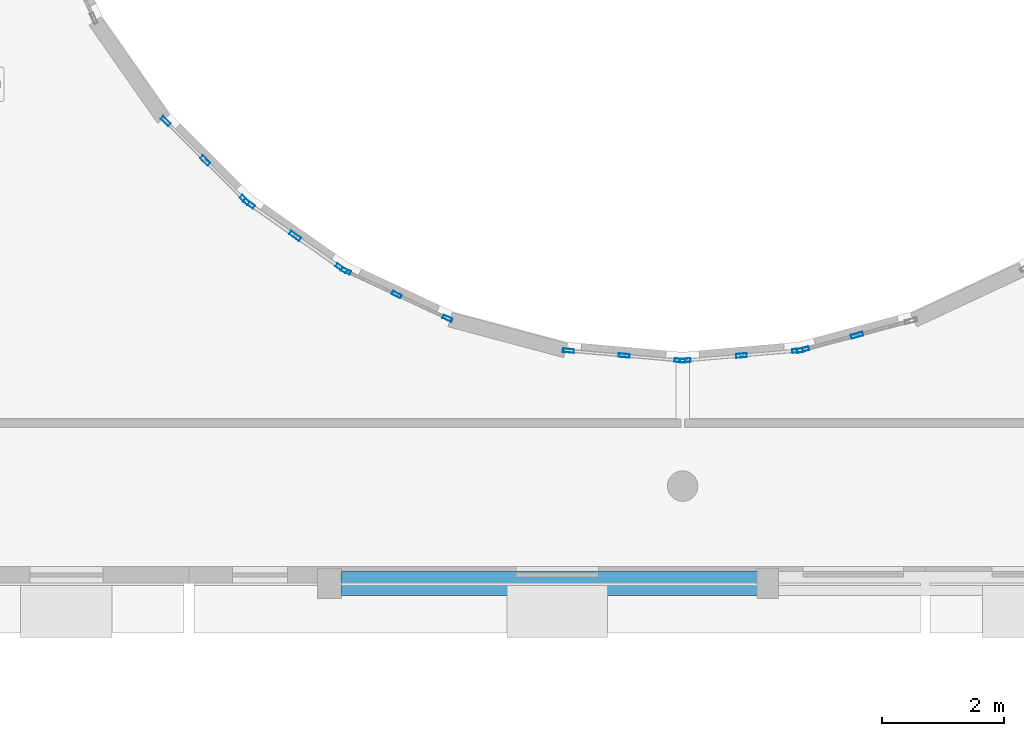
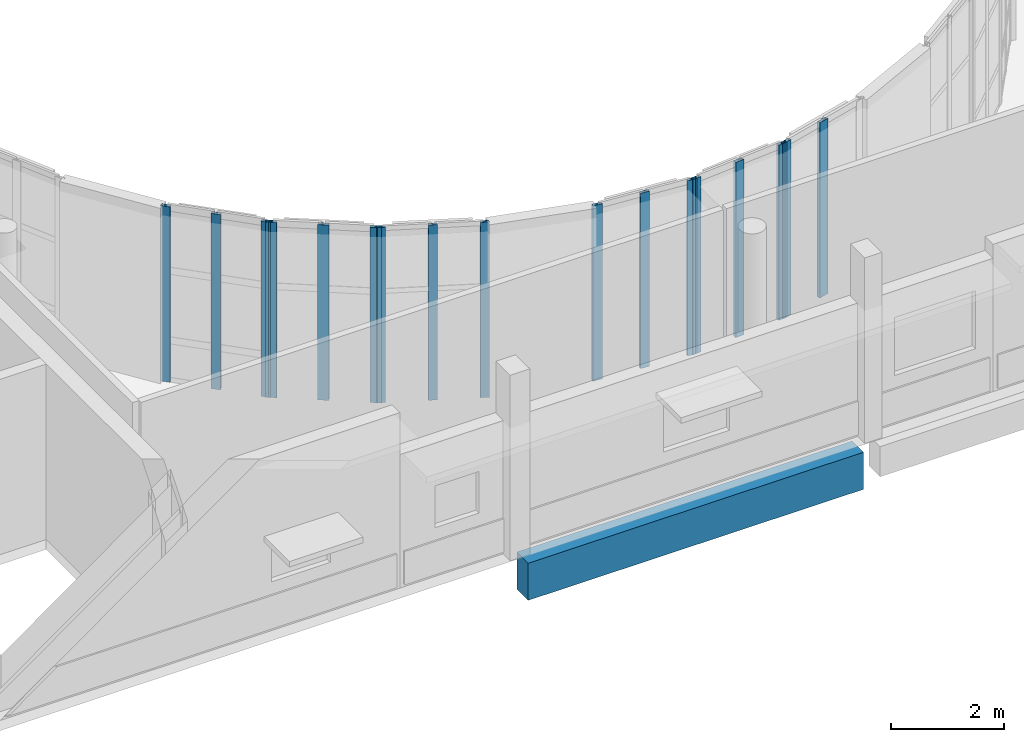
# One storey, part 18 of 92: 17 members, 1 beam, 6 elements without a shape of their own.
"""IFC4 building model written with IfcOpenShell, lengths in metres."""

from ifc_helpers import new_model, si_unit, direction, frame, origin, origin_2d, place, context, subcontext, project, spatial, rectangle, hollow_rectangle, extrude, material, layer, layer_set, material_profile, profile_set, type_object, element, aggregate, save


model = new_model("IFC4")

# Units and contexts
model_context = context("Model", 3, precision=1e-05, world=origin(), true_north=direction((0.0, 1.0)))
body_context = subcontext(model_context, "Body", "Model", "MODEL_VIEW")
ifc_project = project(units=[si_unit("LENGTHUNIT", "METRE"), si_unit("AREAUNIT", "SQUARE_METRE"), si_unit("VOLUMEUNIT", "CUBIC_METRE"), si_unit("PLANEANGLEUNIT", "RADIAN"), si_unit("MASSUNIT", "GRAM", prefix="KILO")], contexts=[model_context])

# Site, building, storey
site_placement = place(None, origin())
site = spatial("IfcSite", under=ifc_project, at=site_placement, CompositionType="ELEMENT")
building_placement = place(site_placement, origin())
building = spatial("IfcBuilding", under=site, at=building_placement, Name="Kelanivale Promenade Academy", CompositionType="ELEMENT")
storey_placement = place(building_placement, frame((0.0, 0.0, 8.199951171875)))
storey = spatial("IfcBuildingStorey", under=building, at=storey_placement, Name="L02", CompositionType="ELEMENT", Elevation=8.199951171875)

# Beam
ifc_material_1 = material(Name="Concrete C35/45", Category="concrete")
ifc_material_profile_1 = material_profile(ifc_material_1, rectangle(XDim=0.39990234375, YDim=0.800048828125, at=origin_2d()), Name="RC-BM 400x800")
ifc_profile_set_1 = profile_set([ifc_material_profile_1], Name="Concrete C35/45")
beam_type = type_object("IfcBeamType", Name="BM-14 RC-BM 400x800", PredefinedType="BEAM", material=ifc_profile_set_1)
beam_placement = place(storey_placement, frame((57.794921875, 42.0, -0.619873046875), z_axis=(1.0, 0.0, 0.0), x_axis=(0.0, 1.0, 0.0)))
element("IfcBeam", 1, at=beam_placement, inside=storey, type_object=beam_type, Name="L02 girder BM-14", PredefinedType="BEAM", context=body_context, shape_type="SweptSolid", body=[
    extrude(rectangle(XDim=0.39990234375, YDim=0.800048828125, at=origin_2d()), origin(), (0.0, 0.0, 1.0), 6.8349609375),
])

# Curtain wall, members
ifc_material_2 = material(Name="Bronze anodised aluminium and solar-control low-E glass", Category="aluminium")
ifc_layer_1 = layer(ifc_material_2, 0.169921875)
ifc_layer_set_1 = layer_set([ifc_layer_1], Name="Bronze anodised aluminium and solar-control low-E glass")
curtain_wall_type_1 = type_object("IfcCurtainWallType", Name="CW-01 Curtain Wall 1350mm Module", PredefinedType="USERDEFINED", material=ifc_layer_set_1)
curtain_wall_1_placement = place(storey_placement, origin())
curtain_wall_1 = element("IfcCurtainWall", 2, at=curtain_wall_1_placement, inside=storey, type_object=curtain_wall_type_1, Name="L02 courtyard curtain wall CW-01", ObjectType="UNITISED GLAZING", PredefinedType="USERDEFINED")
ifc_material_3 = material(Name="Bronze anodised aluminium EN AW-6063 T6", Category="aluminium")
ifc_material_profile_2 = material_profile(ifc_material_3, hollow_rectangle(XDim=0.06005859375, YDim=0.159912109375, WallThickness=0.00390625, at=origin_2d()), Name="ALU 60x160x4.0")
ifc_profile_set_2 = profile_set([ifc_material_profile_2], Name="Bronze anodised aluminium EN AW-6063 T6")
member_type_1 = type_object("IfcMemberType", Name="CWM-01 ALU 60x160x4.0", PredefinedType="MULLION", material=ifc_profile_set_2)
member_1_placement = place(storey_placement, frame((57.8681640625, 47.13427734375, 0.0), z_axis=(0.0, 0.0, 1.0), x_axis=(0.423086860887, 0.906089128146, 0.0)))
member_1 = element("IfcMember", 3, at=member_1_placement, type_object=member_type_1, Name="CW-01 mullion 1", PredefinedType="MULLION", context=body_context, shape_type="SweptSolid", body=[
    extrude(hollow_rectangle(XDim=0.06005859375, YDim=0.159912109375, WallThickness=0.00390625, at=origin_2d()), origin(), (0.0, 0.0, 1.0), 3.780029296875),
])
member_2_placement = place(storey_placement, frame((58.702880859375, 46.744384765625, 0.0), z_axis=(0.0, 0.0, 1.0), x_axis=(0.423086860887, 0.906089128146, 0.0)))
member_2 = element("IfcMember", 4, at=member_2_placement, type_object=member_type_1, Name="CW-01 mullion 2", PredefinedType="MULLION", context=body_context, shape_type="SweptSolid", body=[
    extrude(hollow_rectangle(XDim=0.06005859375, YDim=0.159912109375, WallThickness=0.00390625, at=origin_2d()), origin(), (0.0, 0.0, 1.0), 3.780029296875),
])
member_3_placement = place(storey_placement, frame((59.537841796875, 46.354736328125, 0.0), z_axis=(0.0, 0.0, 1.0), x_axis=(0.423086860887, 0.906089128146, 0.0)))
member_3 = element("IfcMember", 5, at=member_3_placement, type_object=member_type_1, Name="CW-01 mullion 3", PredefinedType="MULLION", context=body_context, shape_type="SweptSolid", body=[
    extrude(hollow_rectangle(XDim=0.06005859375, YDim=0.159912109375, WallThickness=0.00390625, at=origin_2d()), origin(), (0.0, 0.0, 1.0), 3.780029296875),
])
aggregate(curtain_wall_1, [member_1, member_2, member_3])

ifc_layer_2 = layer(ifc_material_2, 0.179931640625)
ifc_layer_set_2 = layer_set([ifc_layer_2], Name="Bronze anodised aluminium and solar-control low-E glass")
curtain_wall_type_2 = type_object("IfcCurtainWallType", Name="CW-02 Curtain Wall 1500mm Module", PredefinedType="USERDEFINED", material=ifc_layer_set_2)
curtain_wall_2_placement = place(storey_placement, origin())
curtain_wall_2 = element("IfcCurtainWall", 6, at=curtain_wall_2_placement, inside=storey, type_object=curtain_wall_type_2, Name="L02 courtyard curtain wall CW-02", ObjectType="UNITISED GLAZING", PredefinedType="USERDEFINED")
ifc_material_profile_3 = material_profile(ifc_material_3, hollow_rectangle(XDim=0.06005859375, YDim=0.179931640625, WallThickness=0.00390625, at=origin_2d()), Name="ALU 60x180x4.0")
ifc_profile_set_3 = profile_set([ifc_material_profile_3], Name="Bronze anodised aluminium EN AW-6063 T6")
member_type_2 = type_object("IfcMemberType", Name="CWM-02 ALU 60x180x4.0", PredefinedType="MULLION", material=ifc_profile_set_3)
member_4_placement = place(storey_placement, frame((61.52294921875, 45.824462890625, 0.0), z_axis=(0.0, 0.0, 1.0), x_axis=(0.087264768066, 0.996185153601, 0.0)))
member_4 = element("IfcMember", 7, at=member_4_placement, type_object=member_type_2, Name="CW-02 mullion 1", PredefinedType="MULLION", context=body_context, shape_type="SweptSolid", body=[
    extrude(hollow_rectangle(XDim=0.06005859375, YDim=0.179931640625, WallThickness=0.00390625, at=origin_2d()), origin(), (0.0, 0.0, 1.0), 3.780029296875),
])
member_5_placement = place(storey_placement, frame((62.4404296875, 45.743896484375, 0.0), z_axis=(0.0, 0.0, 1.0), x_axis=(0.087264768066, 0.996185153601, 0.0)))
member_5 = element("IfcMember", 8, at=member_5_placement, type_object=member_type_2, Name="CW-02 mullion 2", PredefinedType="MULLION", context=body_context, shape_type="SweptSolid", body=[
    extrude(hollow_rectangle(XDim=0.06005859375, YDim=0.179931640625, WallThickness=0.00390625, at=origin_2d()), origin(), (0.0, 0.0, 1.0), 3.780029296875),
])
member_6_placement = place(storey_placement, frame((63.358154296875, 45.66357421875, 0.0), z_axis=(0.0, 0.0, 1.0), x_axis=(0.087264768066, 0.996185153601, 0.0)))
member_6 = element("IfcMember", 9, at=member_6_placement, type_object=member_type_2, Name="CW-02 mullion 3", PredefinedType="MULLION", context=body_context, shape_type="SweptSolid", body=[
    extrude(hollow_rectangle(XDim=0.06005859375, YDim=0.179931640625, WallThickness=0.00390625, at=origin_2d()), origin(), (0.0, 0.0, 1.0), 3.780029296875),
])
aggregate(curtain_wall_2, [member_4, member_5, member_6])

ifc_layer_3 = layer(ifc_material_2, 0.179931640625)
ifc_layer_set_3 = layer_set([ifc_layer_3], Name="Bronze anodised aluminium and solar-control low-E glass")
curtain_wall_type_3 = type_object("IfcCurtainWallType", Name="CW-23 Curtain Wall 1950mm Module", PredefinedType="USERDEFINED", material=ifc_layer_set_3)
curtain_wall_3_placement = place(storey_placement, origin())
curtain_wall_3 = element("IfcCurtainWall", 10, at=curtain_wall_3_placement, inside=storey, type_object=curtain_wall_type_3, Name="L02 courtyard curtain wall CW-23", ObjectType="COURTYARD SCREEN GLAZING", PredefinedType="USERDEFINED")
ifc_material_profile_4 = material_profile(ifc_material_3, hollow_rectangle(XDim=0.06494140625, YDim=0.175048828125, WallThickness=0.00390625, at=origin_2d()), Name="ALU 65x175x4.0")
ifc_profile_set_4 = profile_set([ifc_material_profile_4], Name="Bronze anodised aluminium EN AW-6063 T6")
member_type_3 = type_object("IfcMemberType", Name="CWM-03 ALU 65x175x4.0", PredefinedType="MULLION", material=ifc_profile_set_4)
member_7_placement = place(storey_placement, frame((54.908935546875, 49.595947265625, 0.0), z_axis=(0.0, 0.0, 1.0), x_axis=(0.707106781187, 0.707106781187, 0.0)))
member_7 = element("IfcMember", 11, at=member_7_placement, type_object=member_type_3, Name="CW-23 mullion 1", PredefinedType="MULLION", context=body_context, shape_type="SweptSolid", body=[
    extrude(hollow_rectangle(XDim=0.06494140625, YDim=0.175048828125, WallThickness=0.00390625, at=origin_2d()), origin(), (0.0, 0.0, 1.0), 3.780029296875),
])
member_8_placement = place(storey_placement, frame((55.55810546875, 48.947021484375, 0.0), z_axis=(0.0, 0.0, 1.0), x_axis=(0.707106781187, 0.707106781187, 0.0)))
member_8 = element("IfcMember", 12, at=member_8_placement, type_object=member_type_3, Name="CW-23 mullion 2", PredefinedType="MULLION", context=body_context, shape_type="SweptSolid", body=[
    extrude(hollow_rectangle(XDim=0.06494140625, YDim=0.175048828125, WallThickness=0.00390625, at=origin_2d()), origin(), (0.0, 0.0, 1.0), 3.780029296875),
])
member_9_placement = place(storey_placement, frame((56.20703125, 48.298095703125, 0.0), z_axis=(0.0, 0.0, 1.0), x_axis=(0.707106781187, 0.707106781187, 0.0)))
member_9 = element("IfcMember", 13, at=member_9_placement, type_object=member_type_3, Name="CW-23 mullion 3", PredefinedType="MULLION", context=body_context, shape_type="SweptSolid", body=[
    extrude(hollow_rectangle(XDim=0.06494140625, YDim=0.175048828125, WallThickness=0.00390625, at=origin_2d()), origin(), (0.0, 0.0, 1.0), 3.780029296875),
])
aggregate(curtain_wall_3, [member_7, member_8, member_9])

ifc_layer_4 = layer(ifc_material_2, 0.159912109375)
ifc_layer_set_4 = layer_set([ifc_layer_4], Name="Bronze anodised aluminium and solar-control low-E glass")
curtain_wall_type_4 = type_object("IfcCurtainWallType", Name="CW-03 Curtain Wall 1650mm Module", PredefinedType="USERDEFINED", material=ifc_layer_set_4)
curtain_wall_4_placement = place(storey_placement, origin())
curtain_wall_4 = element("IfcCurtainWall", 14, at=curtain_wall_4_placement, inside=storey, type_object=curtain_wall_type_4, Name="L02 courtyard curtain wall CW-03", ObjectType="UNITISED GLAZING", PredefinedType="USERDEFINED")
member_10_placement = place(storey_placement, frame((63.4443359375, 45.663818359375, 0.0), z_axis=(0.0, 0.0, 1.0), x_axis=(-0.087102249164, 0.996199376727, 0.0)))
member_10 = element("IfcMember", 15, at=member_10_placement, type_object=member_type_3, Name="CW-03 mullion 1", PredefinedType="MULLION", context=body_context, shape_type="SweptSolid", body=[
    extrude(hollow_rectangle(XDim=0.06494140625, YDim=0.175048828125, WallThickness=0.00390625, at=origin_2d()), origin(), (0.0, 0.0, 1.0), 3.780029296875),
])
member_11_placement = place(storey_placement, frame((64.366943359375, 45.744384765625, 0.0), z_axis=(0.0, 0.0, 1.0), x_axis=(-0.087102249164, 0.996199376727, 0.0)))
member_11 = element("IfcMember", 16, at=member_11_placement, type_object=member_type_3, Name="CW-03 mullion 2", PredefinedType="MULLION", context=body_context, shape_type="SweptSolid", body=[
    extrude(hollow_rectangle(XDim=0.06494140625, YDim=0.175048828125, WallThickness=0.00390625, at=origin_2d()), origin(), (0.0, 0.0, 1.0), 3.780029296875),
])
member_12_placement = place(storey_placement, frame((65.28955078125, 45.8251953125, 0.0), z_axis=(0.0, 0.0, 1.0), x_axis=(-0.087102249164, 0.996199376727, 0.0)))
member_12 = element("IfcMember", 17, at=member_12_placement, type_object=member_type_3, Name="CW-03 mullion 3", PredefinedType="MULLION", context=body_context, shape_type="SweptSolid", body=[
    extrude(hollow_rectangle(XDim=0.06494140625, YDim=0.175048828125, WallThickness=0.00390625, at=origin_2d()), origin(), (0.0, 0.0, 1.0), 3.780029296875),
])
aggregate(curtain_wall_4, [member_10, member_11, member_12])

ifc_layer_5 = layer(ifc_material_2, 0.159912109375)
ifc_layer_set_5 = layer_set([ifc_layer_5], Name="Bronze anodised aluminium and solar-control low-E glass")
curtain_wall_type_5 = type_object("IfcCurtainWallType", Name="CW-24 Curtain Wall 1200mm Module", PredefinedType="USERDEFINED", material=ifc_layer_set_5)
curtain_wall_5_placement = place(storey_placement, origin())
curtain_wall_5 = element("IfcCurtainWall", 18, at=curtain_wall_5_placement, inside=storey, type_object=curtain_wall_type_5, Name="L02 courtyard curtain wall CW-24", ObjectType="COURTYARD SCREEN GLAZING", PredefinedType="USERDEFINED")
ifc_material_profile_5 = material_profile(ifc_material_3, hollow_rectangle(XDim=0.06494140625, YDim=0.199951171875, WallThickness=0.00439453125, at=origin_2d()), Name="ALU 65x200x4.5")
ifc_profile_set_5 = profile_set([ifc_material_profile_5], Name="Bronze anodised aluminium EN AW-6063 T6")
member_type_4 = type_object("IfcMemberType", Name="CWM-04 ALU 65x200x4.5", PredefinedType="MULLION", material=ifc_profile_set_5)
member_13_placement = place(storey_placement, frame((56.275634765625, 48.240478515625, 0.0), z_axis=(0.0, 0.0, 1.0), x_axis=(0.573567324515, 0.81915842439, 0.0)))
member_13 = element("IfcMember", 19, at=member_13_placement, type_object=member_type_4, Name="CW-24 mullion 1", PredefinedType="MULLION", context=body_context, shape_type="SweptSolid", body=[
    extrude(hollow_rectangle(XDim=0.06494140625, YDim=0.199951171875, WallThickness=0.00439453125, at=origin_2d()), origin(), (0.0, 0.0, 1.0), 3.780029296875),
])
member_14_placement = place(storey_placement, frame((57.034423828125, 47.708984375, 0.0), z_axis=(0.0, 0.0, 1.0), x_axis=(0.573567324515, 0.81915842439, 0.0)))
member_14 = element("IfcMember", 20, at=member_14_placement, type_object=member_type_4, Name="CW-24 mullion 2", PredefinedType="MULLION", context=body_context, shape_type="SweptSolid", body=[
    extrude(hollow_rectangle(XDim=0.06494140625, YDim=0.199951171875, WallThickness=0.00439453125, at=origin_2d()), origin(), (0.0, 0.0, 1.0), 3.780029296875),
])
member_15_placement = place(storey_placement, frame((57.79345703125, 47.177734375, 0.0), z_axis=(0.0, 0.0, 1.0), x_axis=(0.573567324515, 0.81915842439, 0.0)))
member_15 = element("IfcMember", 21, at=member_15_placement, type_object=member_type_4, Name="CW-24 mullion 3", PredefinedType="MULLION", context=body_context, shape_type="SweptSolid", body=[
    extrude(hollow_rectangle(XDim=0.06494140625, YDim=0.199951171875, WallThickness=0.00439453125, at=origin_2d()), origin(), (0.0, 0.0, 1.0), 3.780029296875),
])
aggregate(curtain_wall_5, [member_13, member_14, member_15])

ifc_layer_6 = layer(ifc_material_2, 0.169921875)
ifc_layer_set_6 = layer_set([ifc_layer_6], Name="Bronze anodised aluminium and solar-control low-E glass")
curtain_wall_type_6 = type_object("IfcCurtainWallType", Name="CW-04 Curtain Wall 1800mm Module", PredefinedType="USERDEFINED", material=ifc_layer_set_6)
curtain_wall_6_placement = place(storey_placement, origin())
curtain_wall_6 = element("IfcCurtainWall", 22, at=curtain_wall_6_placement, inside=storey, type_object=curtain_wall_type_6, Name="L02 courtyard curtain wall CW-04", ObjectType="UNITISED GLAZING", PredefinedType="USERDEFINED")
member_16_placement = place(storey_placement, frame((65.37744140625, 45.84033203125, 0.0), z_axis=(0.0, 0.0, 1.0), x_axis=(-0.258578458902, 0.965990259056, 0.0)))
member_16 = element("IfcMember", 23, at=member_16_placement, type_object=member_type_4, Name="CW-04 mullion 1", PredefinedType="MULLION", context=body_context, shape_type="SweptSolid", body=[
    extrude(hollow_rectangle(XDim=0.06494140625, YDim=0.199951171875, WallThickness=0.00439453125, at=origin_2d()), origin(), (0.0, 0.0, 1.0), 3.780029296875),
])
member_17_placement = place(storey_placement, frame((66.264892578125, 46.077880859375, 0.0), z_axis=(0.0, 0.0, 1.0), x_axis=(-0.258578458902, 0.965990259056, 0.0)))
member_17 = element("IfcMember", 24, at=member_17_placement, type_object=member_type_4, Name="CW-04 mullion 2", PredefinedType="MULLION", context=body_context, shape_type="SweptSolid", body=[
    extrude(hollow_rectangle(XDim=0.06494140625, YDim=0.199951171875, WallThickness=0.00439453125, at=origin_2d()), origin(), (0.0, 0.0, 1.0), 3.780029296875),
])
aggregate(curtain_wall_6, [member_16, member_17])

save(model, "model.ifc")
